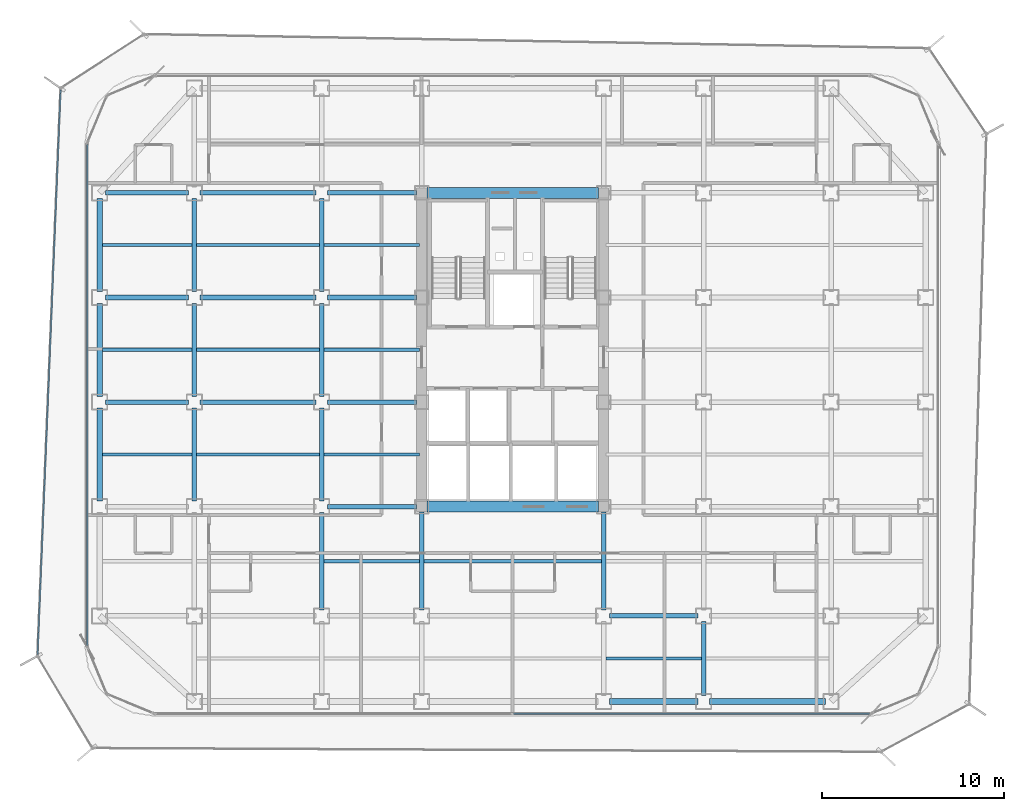
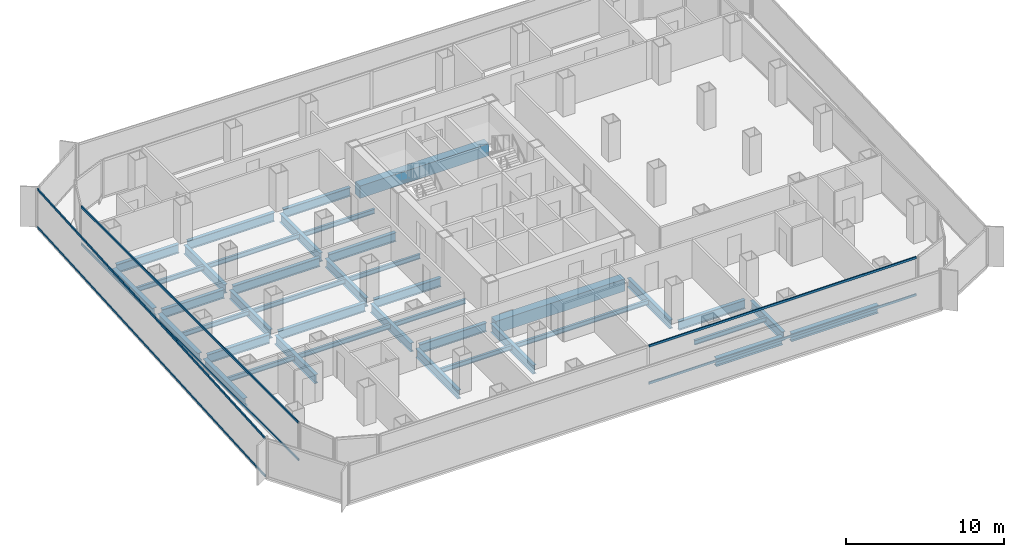
# One storey, part 5 of 21: 40 beams, 6 members, 3 elements without a shape of their own.
"""IFC4 building model written with IfcOpenShell, lengths in metres."""

from ifc_helpers import new_model, si_unit, direction, frame, origin, origin_2d, place, context, subcontext, project, spatial, rectangle, hollow_rectangle, i_section, extrude, source, transform, mapped, material, layer, layer_set, material_profile, profile_set, type_object, element, aggregate, save


model = new_model("IFC4")

# Units and contexts
model_context = context("Model", 3, precision=1e-05, world=origin(), true_north=direction((0.0, 1.0)))
body_context = subcontext(model_context, "Body", "Model", "MODEL_VIEW")
ifc_project = project(units=[si_unit("LENGTHUNIT", "METRE"), si_unit("AREAUNIT", "SQUARE_METRE"), si_unit("VOLUMEUNIT", "CUBIC_METRE"), si_unit("PLANEANGLEUNIT", "RADIAN"), si_unit("MASSUNIT", "GRAM", prefix="KILO")], contexts=[model_context])

# Site, building, storey
site_placement = place(None, origin())
site = spatial("IfcSite", under=ifc_project, at=site_placement, CompositionType="ELEMENT")
building_placement = place(site_placement, origin())
building = spatial("IfcBuilding", under=site, at=building_placement, Name="Kolveth Station Tower", CompositionType="ELEMENT")
storey_placement = place(building_placement, frame((0.0, 0.0, 92.699951171875)))
storey = spatial("IfcBuildingStorey", under=building, at=storey_placement, Name="L24", CompositionType="ELEMENT", Elevation=92.699951171875)

# Beams
ifc_material_1 = material(Name="Steel S355", Category="steel")
ifc_material_profile_1 = material_profile(ifc_material_1, i_section(OverallWidth=0.323974609375, OverallDepth=0.611083984375, WebThickness=0.0126953125, FlangeThickness=0.01904296875, at=origin_2d()), Name="W610x155")
ifc_profile_set_1 = profile_set([ifc_material_profile_1], Name="Steel S355")
beam_type_1 = type_object("IfcBeamType", Name="Beam_SP2", PredefinedType="SPANDREL", material=ifc_profile_set_1)
shared_shape_1 = source(origin(), body_context, "Body", "SweptSolid", [
    extrude(i_section(OverallWidth=0.323974609375, OverallDepth=0.611083984375, WebThickness=0.0126953125, FlangeThickness=0.01904296875, at=origin_2d()), origin(), (0.0, 0.0, 1.0), 6.35986328125),
])
beam_1_placement = place(storey_placement, frame((34.320068359375, 0.800048828125, -0.555419921875), z_axis=(1.0, 0.0, 0.0), x_axis=(0.0, 1.0, 0.0)))
element("IfcBeam", 1, at=beam_1_placement, inside=storey, type_object=beam_type_1, Name="L24 Perimeter Spandrel BM-L24-PS-5", PredefinedType="SPANDREL", context=body_context, shape_type="MappedRepresentation", body=[
    mapped(shared_shape_1, transform((0.0, 0.0, 0.0), x_axis=(1.0, 0.0, 0.0), y_axis=(0.0, 1.0, 0.0), z_axis=(0.0, 0.0, 1.0), scale=1.0)),
])
shared_shape_2 = source(origin(), body_context, "Body", "SweptSolid", [
    extrude(i_section(OverallWidth=0.323974609375, OverallDepth=0.611083984375, WebThickness=0.0126953125, FlangeThickness=0.01904296875, at=origin_2d()), origin(), (0.0, 0.0, 1.0), 4.85986328125),
])
beam_2_placement = place(storey_placement, frame((28.820068359375, 0.800048828125, -0.555419921875), z_axis=(1.0, 0.0, 0.0), x_axis=(0.0, 1.0, 0.0)))
element("IfcBeam", 2, at=beam_2_placement, inside=storey, type_object=beam_type_1, Name="L24 Perimeter Spandrel BM-L24-PS-4", PredefinedType="SPANDREL", context=body_context, shape_type="MappedRepresentation", body=[
    mapped(shared_shape_2, transform((0.0, 0.0, 0.0), x_axis=(1.0, 0.0, 0.0), y_axis=(0.0, 1.0, 0.0), z_axis=(0.0, 0.0, 1.0), scale=1.0)),
])
shared_shape_3 = source(origin(), body_context, "Body", "SweptSolid", [
    extrude(i_section(OverallWidth=0.323974609375, OverallDepth=0.611083984375, WebThickness=0.0126953125, FlangeThickness=0.01904296875, at=origin_2d()), origin(), (0.0, 0.0, 1.0), 5.10986328125),
])
for number, where, z_axis, x_axis, name in (
    (3, (0.800048828125, 11.820068359375, -0.555419921875), (0.0, 1.0, 0.0), (-1.0, 0.0, 0.0), "L24 Perimeter Spandrel BM-L24-PW-2"),
    (4, (0.800048828125, 17.570068359375, -0.555419921875), (0.0, 1.0, 0.0), (-1.0, 0.0, 0.0), "L24 Perimeter Spandrel BM-L24-PW-3"),
    (5, (0.800048828125, 23.320068359375, -0.555419921875), (0.0, 1.0, 0.0), (-1.0, 0.0, 0.0), "L24 Perimeter Spandrel BM-L24-PW-4"),
):
    element("IfcBeam", number, at=place(storey_placement, frame(where, z_axis=z_axis, x_axis=x_axis)), inside=storey, type_object=beam_type_1, Name=name, PredefinedType="SPANDREL", context=body_context, shape_type="MappedRepresentation", body=[
        mapped(shared_shape_3, transform((0.0, 0.0, 0.0), x_axis=(1.0, 0.0, 0.0), y_axis=(0.0, 1.0, 0.0), z_axis=(0.0, 0.0, 1.0), scale=1.0)),
    ])
ifc_material_profile_2 = material_profile(ifc_material_1, i_section(OverallWidth=0.25390625, OverallDepth=0.68798828125, WebThickness=0.01318359375, FlangeThickness=0.02099609375, at=origin_2d()), Name="W690x152")
ifc_profile_set_2 = profile_set([ifc_material_profile_2], Name="Steel S355")
beam_type_2 = type_object("IfcBeamType", Name="Beam_B4", PredefinedType="BEAM", material=ifc_profile_set_2)
shared_shape_4 = source(origin(), body_context, "Body", "SweptSolid", [
    extrude(i_section(OverallWidth=0.25390625, OverallDepth=0.68798828125, WebThickness=0.01318359375, FlangeThickness=0.02099609375, at=origin_2d()), origin(), (0.0, 0.0, 1.0), 4.559814453125),
])
for number, where, z_axis, x_axis, name in (
    (6, (1.1201171875, 17.25, -0.593994140625), (1.0, 0.0, 0.0), (0.0, 1.0, 0.0), "L24 Primary Girder BM-L24-GY172-1"),
    (7, (1.1201171875, 23.0, -0.593994140625), (1.0, 0.0, 0.0), (0.0, 1.0, 0.0), "L24 Primary Girder BM-L24-GY230-1"),
    (8, (1.1201171875, 28.75, -0.593994140625), (1.0, 0.0, 0.0), (0.0, 1.0, 0.0), "L24 Primary Girder BM-L24-GY287-1"),
):
    element("IfcBeam", number, at=place(storey_placement, frame(where, z_axis=z_axis, x_axis=x_axis)), inside=storey, type_object=beam_type_2, Name=name, PredefinedType="BEAM", context=body_context, shape_type="MappedRepresentation", body=[
        mapped(shared_shape_4, transform((0.0, 0.0, 0.0), x_axis=(1.0, 0.0, 0.0), y_axis=(0.0, 1.0, 0.0), z_axis=(0.0, 0.0, 1.0), scale=1.0)),
    ])
shared_shape_5 = source(origin(), body_context, "Body", "SweptSolid", [
    extrude(i_section(OverallWidth=0.25390625, OverallDepth=0.68798828125, WebThickness=0.01318359375, FlangeThickness=0.02099609375, at=origin_2d()), origin(), (0.0, 0.0, 1.0), 6.35986328125),
])
for number, where, z_axis, x_axis, name in (
    (9, (6.320068359375, 17.25, -0.593994140625), (1.0, 0.0, 0.0), (0.0, 1.0, 0.0), "L24 Primary Girder BM-L24-GY172-2"),
    (10, (6.320068359375, 23.0, -0.593994140625), (1.0, 0.0, 0.0), (0.0, 1.0, 0.0), "L24 Primary Girder BM-L24-GY230-2"),
    (11, (6.320068359375, 28.75, -0.593994140625), (1.0, 0.0, 0.0), (0.0, 1.0, 0.0), "L24 Primary Girder BM-L24-GY287-2"),
):
    element("IfcBeam", number, at=place(storey_placement, frame(where, z_axis=z_axis, x_axis=x_axis)), inside=storey, type_object=beam_type_2, Name=name, PredefinedType="BEAM", context=body_context, shape_type="MappedRepresentation", body=[
        mapped(shared_shape_5, transform((0.0, 0.0, 0.0), x_axis=(1.0, 0.0, 0.0), y_axis=(0.0, 1.0, 0.0), z_axis=(0.0, 0.0, 1.0), scale=1.0)),
    ])
shared_shape_6 = source(origin(), body_context, "Body", "SweptSolid", [
    extrude(i_section(OverallWidth=0.25390625, OverallDepth=0.68798828125, WebThickness=0.01318359375, FlangeThickness=0.02099609375, at=origin_2d()), origin(), (0.0, 0.0, 1.0), 4.85986328125),
])
beam_3_placement = place(storey_placement, frame((28.820068359375, 5.5, -0.593994140625), z_axis=(1.0, 0.0, 0.0), x_axis=(0.0, 1.0, 0.0)))
element("IfcBeam", 12, at=beam_3_placement, inside=storey, type_object=beam_type_2, Name="L24 Primary Girder BM-L24-GY55-5", PredefinedType="BEAM", context=body_context, shape_type="MappedRepresentation", body=[
    mapped(shared_shape_6, transform((0.0, 0.0, 0.0), x_axis=(1.0, 0.0, 0.0), y_axis=(0.0, 1.0, 0.0), z_axis=(0.0, 0.0, 1.0), scale=1.0)),
])
shared_shape_7 = source(origin(), body_context, "Body", "SweptSolid", [
    extrude(i_section(OverallWidth=0.25390625, OverallDepth=0.68798828125, WebThickness=0.01318359375, FlangeThickness=0.02099609375, at=origin_2d()), origin(), (0.0, 0.0, 1.0), 4.89990234375),
])
for number, where, z_axis, x_axis, name in (
    (13, (13.320068359375, 11.5, -0.593994140625), (1.0, 0.0, 0.0), (0.0, 1.0, 0.0), "L24 Primary Girder BM-L24-GY115-3"),
    (14, (13.320068359375, 17.25, -0.593994140625), (1.0, 0.0, 0.0), (0.0, 1.0, 0.0), "L24 Primary Girder BM-L24-GY172-3"),
    (15, (13.320068359375, 23.0, -0.593994140625), (1.0, 0.0, 0.0), (0.0, 1.0, 0.0), "L24 Primary Girder BM-L24-GY230-3"),
    (16, (13.320068359375, 28.75, -0.593994140625), (1.0, 0.0, 0.0), (0.0, 1.0, 0.0), "L24 Primary Girder BM-L24-GY287-3"),
):
    element("IfcBeam", number, at=place(storey_placement, frame(where, z_axis=z_axis, x_axis=x_axis)), inside=storey, type_object=beam_type_2, Name=name, PredefinedType="BEAM", context=body_context, shape_type="MappedRepresentation", body=[
        mapped(shared_shape_7, transform((0.0, 0.0, 0.0), x_axis=(1.0, 0.0, 0.0), y_axis=(0.0, 1.0, 0.0), z_axis=(0.0, 0.0, 1.0), scale=1.0)),
    ])
ifc_material_2 = material(Name="Concrete C60/75", Category="concrete")
ifc_material_profile_3 = material_profile(ifc_material_2, rectangle(XDim=0.60009765625, YDim=0.949951171875, at=origin_2d()), Name="RC-600x950")
ifc_profile_set_3 = profile_set([ifc_material_profile_3], Name="Concrete C60/75")
beam_type_3 = type_object("IfcBeamType", Name="Beam_CB1", PredefinedType="BEAM", material=ifc_profile_set_3)
shared_shape_8 = source(origin(), body_context, "Body", "SweptSolid", [
    extrude(rectangle(XDim=0.60009765625, YDim=0.949951171875, at=origin_2d()), origin(), (0.0, 0.0, 1.0), 9.43994140625),
])
for number, where, z_axis, x_axis, name in (
    (17, (18.780029296875, 11.5, -0.724853515625), (1.0, 0.0, 0.0), (0.0, 1.0, 0.0), "L24 Core Coupling Beam BM-L24-CB-Y115"),
    (18, (18.780029296875, 28.75, -0.724853515625), (1.0, 0.0, 0.0), (0.0, 1.0, 0.0), "L24 Core Coupling Beam BM-L24-CB-Y287"),
):
    element("IfcBeam", number, at=place(storey_placement, frame(where, z_axis=z_axis, x_axis=x_axis)), inside=storey, type_object=beam_type_3, Name=name, PredefinedType="BEAM", context=body_context, shape_type="MappedRepresentation", body=[
        mapped(shared_shape_8, transform((0.0, 0.0, 0.0), x_axis=(1.0, 0.0, 0.0), y_axis=(0.0, 1.0, 0.0), z_axis=(0.0, 0.0, 1.0), scale=1.0)),
    ])
shared_shape_9 = source(origin(), body_context, "Body", "SweptSolid", [
    extrude(i_section(OverallWidth=0.25390625, OverallDepth=0.68798828125, WebThickness=0.01318359375, FlangeThickness=0.02099609375, at=origin_2d()), origin(), (0.0, 0.0, 1.0), 4.059814453125),
])
beam_4_placement = place(storey_placement, frame((34.0, 1.1201171875, -0.593994140625), z_axis=(0.0, 1.0, 0.0), x_axis=(-1.0, 0.0, 0.0)))
element("IfcBeam", 19, at=beam_4_placement, inside=storey, type_object=beam_type_2, Name="L24 Primary Girder BM-L24-GX340-1", PredefinedType="BEAM", context=body_context, shape_type="MappedRepresentation", body=[
    mapped(shared_shape_9, transform((0.0, 0.0, 0.0), x_axis=(1.0, 0.0, 0.0), y_axis=(0.0, 1.0, 0.0), z_axis=(0.0, 0.0, 1.0), scale=1.0)),
])
shared_shape_10 = source(origin(), body_context, "Body", "SweptSolid", [
    extrude(i_section(OverallWidth=0.25390625, OverallDepth=0.68798828125, WebThickness=0.01318359375, FlangeThickness=0.02099609375, at=origin_2d()), origin(), (0.0, 0.0, 1.0), 5.35986328125),
])
beam_5_placement = place(storey_placement, frame((13.0, 5.820068359375, -0.593994140625), z_axis=(0.0, 1.0, 0.0), x_axis=(-1.0, 0.0, 0.0)))
element("IfcBeam", 20, at=beam_5_placement, inside=storey, type_object=beam_type_2, Name="L24 Primary Girder BM-L24-GX130-2", PredefinedType="BEAM", context=body_context, shape_type="MappedRepresentation", body=[
    mapped(shared_shape_10, transform((0.0, 0.0, 0.0), x_axis=(1.0, 0.0, 0.0), y_axis=(0.0, 1.0, 0.0), z_axis=(0.0, 0.0, 1.0), scale=1.0)),
])
shared_shape_11 = source(origin(), body_context, "Body", "SweptSolid", [
    extrude(i_section(OverallWidth=0.25390625, OverallDepth=0.68798828125, WebThickness=0.01318359375, FlangeThickness=0.02099609375, at=origin_2d()), origin(), (0.0, 0.0, 1.0), 5.10986328125),
])
for number, where, z_axis, x_axis, name in (
    (21, (6.0, 11.820068359375, -0.593994140625), (0.0, 1.0, 0.0), (-1.0, 0.0, 0.0), "L24 Primary Girder BM-L24-GX60-3"),
    (22, (6.0, 17.570068359375, -0.593994140625), (0.0, 1.0, 0.0), (-1.0, 0.0, 0.0), "L24 Primary Girder BM-L24-GX60-4"),
    (23, (6.0, 23.320068359375, -0.593994140625), (0.0, 1.0, 0.0), (-1.0, 0.0, 0.0), "L24 Primary Girder BM-L24-GX60-5"),
    (24, (13.0, 11.820068359375, -0.593994140625), (0.0, 1.0, 0.0), (-1.0, 0.0, 0.0), "L24 Primary Girder BM-L24-GX130-3"),
    (25, (13.0, 17.570068359375, -0.593994140625), (0.0, 1.0, 0.0), (-1.0, 0.0, 0.0), "L24 Primary Girder BM-L24-GX130-4"),
    (26, (13.0, 23.320068359375, -0.593994140625), (0.0, 1.0, 0.0), (-1.0, 0.0, 0.0), "L24 Primary Girder BM-L24-GX130-5"),
):
    element("IfcBeam", number, at=place(storey_placement, frame(where, z_axis=z_axis, x_axis=x_axis)), inside=storey, type_object=beam_type_2, Name=name, PredefinedType="BEAM", context=body_context, shape_type="MappedRepresentation", body=[
        mapped(shared_shape_11, transform((0.0, 0.0, 0.0), x_axis=(1.0, 0.0, 0.0), y_axis=(0.0, 1.0, 0.0), z_axis=(0.0, 0.0, 1.0), scale=1.0)),
    ])
shared_shape_12 = source(origin(), body_context, "Body", "SweptSolid", [
    extrude(i_section(OverallWidth=0.25390625, OverallDepth=0.68798828125, WebThickness=0.01318359375, FlangeThickness=0.02099609375, at=origin_2d()), origin(), (0.0, 0.0, 1.0), 5.39990234375),
])
for number, where, z_axis, x_axis, name in (
    (27, (18.5, 5.820068359375, -0.593994140625), (0.0, 1.0, 0.0), (-1.0, 0.0, 0.0), "L24 Primary Girder BM-L24-GX185-2"),
    (28, (28.5, 5.820068359375, -0.593994140625), (0.0, 1.0, 0.0), (-1.0, 0.0, 0.0), "L24 Primary Girder BM-L24-GX285-2"),
):
    element("IfcBeam", number, at=place(storey_placement, frame(where, z_axis=z_axis, x_axis=x_axis)), inside=storey, type_object=beam_type_2, Name=name, PredefinedType="BEAM", context=body_context, shape_type="MappedRepresentation", body=[
        mapped(shared_shape_12, transform((0.0, 0.0, 0.0), x_axis=(1.0, 0.0, 0.0), y_axis=(0.0, 1.0, 0.0), z_axis=(0.0, 0.0, 1.0), scale=1.0)),
    ])
ifc_material_profile_4 = material_profile(ifc_material_1, i_section(OverallWidth=0.1708984375, OverallDepth=0.35205078125, WebThickness=0.0068359375, FlangeThickness=0.009765625, at=origin_2d()), Name="W360x44")
ifc_profile_set_4 = profile_set([ifc_material_profile_4], Name="Steel S355")
beam_type_4 = type_object("IfcBeamType", Name="Beam_J2", PredefinedType="JOIST", material=ifc_profile_set_4)
shared_shape_13 = source(origin(), body_context, "Body", "SweptSolid", [
    extrude(i_section(OverallWidth=0.1708984375, OverallDepth=0.35205078125, WebThickness=0.0068359375, FlangeThickness=0.009765625, at=origin_2d()), origin(), (0.0, 0.0, 1.0), 4.9150390625),
])
for number, where, z_axis, x_axis, name in (
    (29, (0.9599609375, 14.375, -0.426025390625), (1.0, 0.0, 0.0), (0.0, 1.0, 0.0), "L24 Secondary Joist JST-L24-1-3"),
    (30, (0.9599609375, 20.125, -0.426025390625), (1.0, 0.0, 0.0), (0.0, 1.0, 0.0), "L24 Secondary Joist JST-L24-1-4"),
    (31, (0.9599609375, 25.875, -0.426025390625), (1.0, 0.0, 0.0), (0.0, 1.0, 0.0), "L24 Secondary Joist JST-L24-1-5"),
):
    element("IfcBeam", number, at=place(storey_placement, frame(where, z_axis=z_axis, x_axis=x_axis)), inside=storey, type_object=beam_type_4, Name=name, PredefinedType="JOIST", context=body_context, shape_type="MappedRepresentation", body=[
        mapped(shared_shape_13, transform((0.0, 0.0, 0.0), x_axis=(1.0, 0.0, 0.0), y_axis=(0.0, 1.0, 0.0), z_axis=(0.0, 0.0, 1.0), scale=1.0)),
    ])
shared_shape_14 = source(origin(), body_context, "Body", "SweptSolid", [
    extrude(i_section(OverallWidth=0.1708984375, OverallDepth=0.35205078125, WebThickness=0.0068359375, FlangeThickness=0.009765625, at=origin_2d()), origin(), (0.0, 0.0, 1.0), 6.75),
])
for number, where, z_axis, x_axis, name in (
    (32, (6.125, 14.375, -0.426025390625), (1.0, 0.0, 0.0), (0.0, 1.0, 0.0), "L24 Secondary Joist JST-L24-2-3"),
    (33, (6.125, 20.125, -0.426025390625), (1.0, 0.0, 0.0), (0.0, 1.0, 0.0), "L24 Secondary Joist JST-L24-2-4"),
    (34, (6.125, 25.875, -0.426025390625), (1.0, 0.0, 0.0), (0.0, 1.0, 0.0), "L24 Secondary Joist JST-L24-2-5"),
):
    element("IfcBeam", number, at=place(storey_placement, frame(where, z_axis=z_axis, x_axis=x_axis)), inside=storey, type_object=beam_type_4, Name=name, PredefinedType="JOIST", context=body_context, shape_type="MappedRepresentation", body=[
        mapped(shared_shape_14, transform((0.0, 0.0, 0.0), x_axis=(1.0, 0.0, 0.0), y_axis=(0.0, 1.0, 0.0), z_axis=(0.0, 0.0, 1.0), scale=1.0)),
    ])
shared_shape_15 = source(origin(), body_context, "Body", "SweptSolid", [
    extrude(i_section(OverallWidth=0.1708984375, OverallDepth=0.35205078125, WebThickness=0.0068359375, FlangeThickness=0.009765625, at=origin_2d()), origin(), (0.0, 0.0, 1.0), 5.25),
])
for number, where, z_axis, x_axis, name in (
    (35, (13.125, 8.5, -0.426025390625), (1.0, 0.0, 0.0), (0.0, 1.0, 0.0), "L24 Secondary Joist JST-L24-3-2"),
    (36, (13.125, 14.375, -0.426025390625), (1.0, 0.0, 0.0), (0.0, 1.0, 0.0), "L24 Secondary Joist JST-L24-3-3"),
    (37, (13.125, 20.125, -0.426025390625), (1.0, 0.0, 0.0), (0.0, 1.0, 0.0), "L24 Secondary Joist JST-L24-3-4"),
    (38, (13.125, 25.875, -0.426025390625), (1.0, 0.0, 0.0), (0.0, 1.0, 0.0), "L24 Secondary Joist JST-L24-3-5"),
    (39, (28.625, 3.14990234375, -0.426025390625), (1.0, 0.0, 0.0), (0.0, 1.0, 0.0), "L24 Secondary Joist JST-L24-5-1"),
):
    element("IfcBeam", number, at=place(storey_placement, frame(where, z_axis=z_axis, x_axis=x_axis)), inside=storey, type_object=beam_type_4, Name=name, PredefinedType="JOIST", context=body_context, shape_type="MappedRepresentation", body=[
        mapped(shared_shape_15, transform((0.0, 0.0, 0.0), x_axis=(1.0, 0.0, 0.0), y_axis=(0.0, 1.0, 0.0), z_axis=(0.0, 0.0, 1.0), scale=1.0)),
    ])
shared_shape_16 = source(origin(), body_context, "Body", "SweptSolid", [
    extrude(i_section(OverallWidth=0.1708984375, OverallDepth=0.35205078125, WebThickness=0.0068359375, FlangeThickness=0.009765625, at=origin_2d()), origin(), (0.0, 0.0, 1.0), 9.75),
])
beam_6_placement = place(storey_placement, frame((18.625, 8.5, -0.426025390625), z_axis=(1.0, 0.0, 0.0), x_axis=(0.0, 1.0, 0.0)))
element("IfcBeam", 40, at=beam_6_placement, inside=storey, type_object=beam_type_4, Name="L24 Secondary Joist JST-L24-4-2", PredefinedType="JOIST", context=body_context, shape_type="MappedRepresentation", body=[
    mapped(shared_shape_16, transform((0.0, 0.0, 0.0), x_axis=(1.0, 0.0, 0.0), y_axis=(0.0, 1.0, 0.0), z_axis=(0.0, 0.0, 1.0), scale=1.0)),
])

# Curtain wall, members
ifc_material_3 = material(Name="Aluminium 6063-T6 and low-E dark glass", Category="aluminium")
ifc_layer_1 = layer(ifc_material_3, 0.18994140625)
ifc_layer_set_1 = layer_set([ifc_layer_1], Name="Aluminium 6063-T6 and low-E dark glass")
curtain_wall_type_1 = type_object("IfcCurtainWallType", Name="CurtainWall_CW-Z2", PredefinedType="NOTDEFINED", material=ifc_layer_set_1)
curtain_wall_1_placement = place(storey_placement, origin())
curtain_wall_1 = element("IfcCurtainWall", 41, at=curtain_wall_1_placement, inside=storey, type_object=curtain_wall_type_1, Name="L24 Inner Thermal Curtain Wall 9", PredefinedType="NOTDEFINED")
ifc_material_4 = material(Name="Black anodized aluminium 6063-T6", Category="aluminium")
ifc_material_profile_5 = material_profile(ifc_material_4, hollow_rectangle(XDim=0.080078125, YDim=0.169921875, WallThickness=0.0048828125, at=origin_2d()), Name="ALU-80x170x5")
ifc_profile_set_5 = profile_set([ifc_material_profile_5], Name="Black anodized aluminium 6063-T6")
member_type_1 = type_object("IfcMemberType", Name="Transom_TR2", PredefinedType="USERDEFINED", material=ifc_profile_set_5)
shared_shape_17 = source(origin(), body_context, "Body", "SweptSolid", [
    extrude(hollow_rectangle(XDim=0.080078125, YDim=0.169921875, WallThickness=0.0048828125, at=origin_2d()), origin(), (0.0, 0.0, 1.0), 27.5400390625),
])
member_1_placement = place(storey_placement, frame((0.1201171875, 31.419921875, 0.0400390625), z_axis=(0.0, -1.0, 0.0), x_axis=(1.0, 0.0, 0.0)))
member_1 = element("IfcMember", 42, at=member_1_placement, type_object=member_type_1, Name="CW-Z2 transom 1.1", ObjectType="TRANSOM", PredefinedType="USERDEFINED", context=body_context, shape_type="MappedRepresentation", body=[
    mapped(shared_shape_17, transform((0.0, 0.0, 0.0), x_axis=(1.0, 0.0, 0.0), y_axis=(0.0, 1.0, 0.0), z_axis=(0.0, 0.0, 1.0), scale=1.0)),
])
member_2_placement = place(storey_placement, frame((0.1201171875, 31.419921875, 2.91015625), z_axis=(0.0, -1.0, 0.0), x_axis=(1.0, 0.0, 0.0)))
member_2 = element("IfcMember", 43, at=member_2_placement, type_object=member_type_1, Name="CW-Z2 transom 1.2", ObjectType="TRANSOM", PredefinedType="USERDEFINED", context=body_context, shape_type="MappedRepresentation", body=[
    mapped(shared_shape_17, transform((0.0, 0.0, 0.0), x_axis=(1.0, 0.0, 0.0), y_axis=(0.0, 1.0, 0.0), z_axis=(0.0, 0.0, 1.0), scale=1.0)),
])
aggregate(curtain_wall_1, [member_1, member_2])

curtain_wall_2_placement = place(storey_placement, origin())
curtain_wall_2 = element("IfcCurtainWall", 44, at=curtain_wall_2_placement, inside=storey, type_object=curtain_wall_type_1, Name="L24 Inner Thermal Curtain Wall 12", PredefinedType="NOTDEFINED")
shared_shape_18 = source(origin(), body_context, "Body", "SweptSolid", [
    extrude(hollow_rectangle(XDim=0.080078125, YDim=0.169921875, WallThickness=0.0048828125, at=origin_2d()), origin(), (0.0, 0.0, 1.0), 19.580078125),
])
member_3_placement = place(storey_placement, frame((23.5400390625, 0.1201171875, 0.0400390625), z_axis=(1.0, 0.0, 0.0), x_axis=(0.0, 1.0, 0.0)))
member_3 = element("IfcMember", 45, at=member_3_placement, type_object=member_type_1, Name="CW-Z2 transom 2.1", ObjectType="TRANSOM", PredefinedType="USERDEFINED", context=body_context, shape_type="MappedRepresentation", body=[
    mapped(shared_shape_18, transform((0.0, 0.0, 0.0), x_axis=(1.0, 0.0, 0.0), y_axis=(0.0, 1.0, 0.0), z_axis=(0.0, 0.0, 1.0), scale=1.0)),
])
member_4_placement = place(storey_placement, frame((23.5400390625, 0.1201171875, 2.91015625), z_axis=(1.0, 0.0, 0.0), x_axis=(0.0, 1.0, 0.0)))
member_4 = element("IfcMember", 46, at=member_4_placement, type_object=member_type_1, Name="CW-Z2 transom 2.2", ObjectType="TRANSOM", PredefinedType="USERDEFINED", context=body_context, shape_type="MappedRepresentation", body=[
    mapped(shared_shape_18, transform((0.0, 0.0, 0.0), x_axis=(1.0, 0.0, 0.0), y_axis=(0.0, 1.0, 0.0), z_axis=(0.0, 0.0, 1.0), scale=1.0)),
])
aggregate(curtain_wall_2, [member_3, member_4])

ifc_material_5 = material(Name="Black anodized aluminium 6063-T6 and dark solar glass", Category="aluminium")
ifc_layer_2 = layer(ifc_material_5, 0.159912109375)
ifc_layer_set_2 = layer_set([ifc_layer_2], Name="Black anodized aluminium 6063-T6 and dark solar glass")
curtain_wall_type_2 = type_object("IfcCurtainWallType", Name="OUTER SKIN CW-OS", PredefinedType="NOTDEFINED", material=ifc_layer_set_2)
curtain_wall_3_placement = place(storey_placement, origin())
curtain_wall_3 = element("IfcCurtainWall", 47, at=curtain_wall_3_placement, inside=storey, type_object=curtain_wall_type_2, Name="L24 Outer Ventilated Skin Curtain Wall 6", PredefinedType="NOTDEFINED")
ifc_material_profile_6 = material_profile(ifc_material_4, hollow_rectangle(XDim=0.080078125, YDim=0.14990234375, WallThickness=0.0048828125, at=origin_2d()), Name="ALU-80x150x5")
ifc_profile_set_6 = profile_set([ifc_material_profile_6], Name="Black anodized aluminium 6063-T6")
member_type_2 = type_object("IfcMemberType", Name="Transom_TR-OS", PredefinedType="USERDEFINED", material=ifc_profile_set_6)
shared_shape_19 = source(origin(), body_context, "Body", "SweptSolid", [
    extrude(hollow_rectangle(XDim=0.080078125, YDim=0.14990234375, WallThickness=0.0048828125, at=origin_2d()), origin(), (0.0, 0.0, 1.0), 31.062744140625),
])
member_5_placement = place(storey_placement, frame((-1.346923828125, 34.417236328125, 0.0400390625), z_axis=(-0.040783490448, -0.999168007348, 0.0), x_axis=(0.999168007348, -0.040783490448, 0.0)))
member_5 = element("IfcMember", 48, at=member_5_placement, type_object=member_type_2, Name="CW-OS transom 1.1", ObjectType="TRANSOM", PredefinedType="USERDEFINED", context=body_context, shape_type="MappedRepresentation", body=[
    mapped(shared_shape_19, transform((0.0, 0.0, 0.0), x_axis=(1.0, 0.0, 0.0), y_axis=(0.0, 1.0, 0.0), z_axis=(0.0, 0.0, 1.0), scale=1.0)),
])
member_6_placement = place(storey_placement, frame((-1.346923828125, 34.417236328125, 2.949951171875), z_axis=(-0.040783490448, -0.999168007348, 0.0), x_axis=(0.999168007348, -0.040783490448, 0.0)))
member_6 = element("IfcMember", 49, at=member_6_placement, type_object=member_type_2, Name="CW-OS transom 1.2", ObjectType="TRANSOM", PredefinedType="USERDEFINED", context=body_context, shape_type="MappedRepresentation", body=[
    mapped(shared_shape_19, transform((0.0, 0.0, 0.0), x_axis=(1.0, 0.0, 0.0), y_axis=(0.0, 1.0, 0.0), z_axis=(0.0, 0.0, 1.0), scale=1.0)),
])
aggregate(curtain_wall_3, [member_5, member_6])

save(model, "model.ifc")
